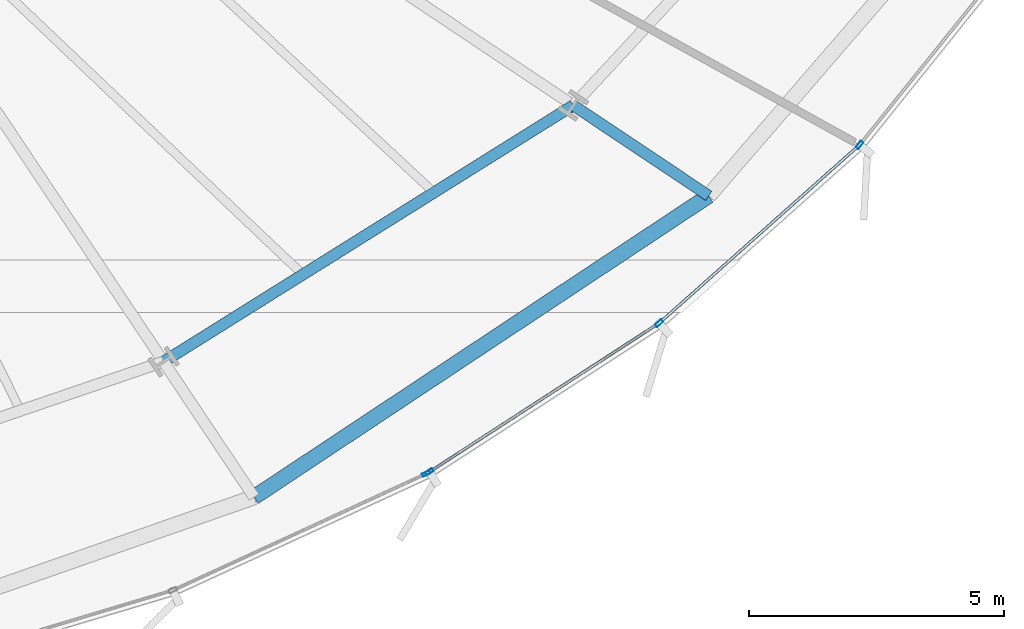
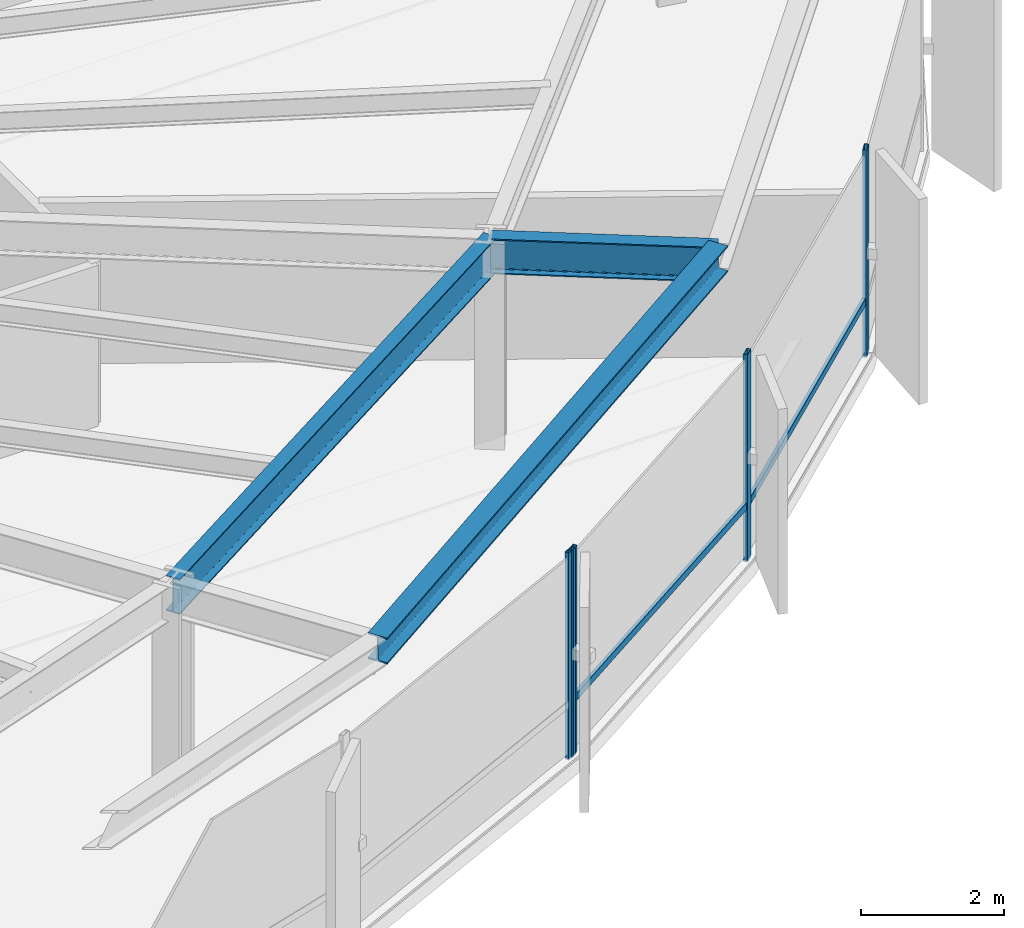
# One storey, part 13 of 37: 6 members, 3 beams, 2 elements without a shape of their own.
"""IFC4 building model written with IfcOpenShell, lengths in metres."""

from ifc_helpers import new_model, si_unit, direction, frame, origin, origin_2d, place, context, subcontext, project, spatial, hollow_rectangle, i_section, extrude, source, transform, mapped, material, layer, layer_set, material_profile, profile_set, type_object, element, aggregate, save


model = new_model("IFC4")

# Units and contexts
model_context = context("Model", 3, precision=1e-05, world=origin(), true_north=direction((0.0, 1.0)))
body_context = subcontext(model_context, "Body", "Model", "MODEL_VIEW")
ifc_project = project(units=[si_unit("LENGTHUNIT", "METRE"), si_unit("AREAUNIT", "SQUARE_METRE"), si_unit("VOLUMEUNIT", "CUBIC_METRE"), si_unit("PLANEANGLEUNIT", "RADIAN"), si_unit("MASSUNIT", "GRAM", prefix="KILO"), si_unit("THERMODYNAMICTEMPERATUREUNIT", "KELVIN")], contexts=[model_context])

# Site, building, storey
site_placement = place(None, origin())
site = spatial("IfcSite", under=ifc_project, at=site_placement, CompositionType="ELEMENT")
building_placement = place(site_placement, origin())
building = spatial("IfcBuilding", under=site, at=building_placement, Name="Kethvar Cultural Tower", CompositionType="ELEMENT")
storey_placement = place(building_placement, frame((0.0, 0.0, 48.60009765625)))
storey = spatial("IfcBuildingStorey", under=building, at=storey_placement, Name="L11", CompositionType="ELEMENT", Elevation=48.60009765625)

# Beams
ifc_material_1 = material(Name="Steel S355J2", Category="steel")
ifc_material_profile_1 = material_profile(ifc_material_1, i_section(OverallWidth=0.219970703125, OverallDepth=0.60009765625, WebThickness=0.011962890625, FlangeThickness=0.01904296875, FilletRadius=0.02392578125, at=origin_2d()), Name="Steel S355J2 — IPE600")
ifc_profile_set_1 = profile_set([ifc_material_profile_1], Name="Steel S355J2 — IPE600")
beam_type_1 = type_object("IfcBeamType", Name="BM-IPE600", PredefinedType="BEAM", material=ifc_profile_set_1)
shared_shape_1 = source(origin(), body_context, "Body", "SweptSolid", [
    extrude(i_section(OverallWidth=0.219970703125, OverallDepth=0.60009765625, WebThickness=0.011962890625, FlangeThickness=0.01904296875, FilletRadius=0.02392578125, at=origin_2d()), origin(), (0.0, 0.0, 1.0), 3.19970703125),
])
beam_1_placement = place(storey_placement, frame((67.41845703125, 14.023193359375, 3.247802734375), z_axis=(0.831498187863, -0.55552746429, 0.0), x_axis=(0.55552746429, 0.831498187863, 0.0)))
element("IfcBeam", 1, at=beam_1_placement, inside=storey, type_object=beam_type_1, Name="L11 Perimeter Cantilever Beam RC-15", PredefinedType="BEAM", context=body_context, shape_type="MappedRepresentation", body=[
    mapped(shared_shape_1, transform((0.0, 0.0, 0.0), scale=1.0)),
])
shared_shape_2 = source(origin(), body_context, "Body", "SweptSolid", [
    extrude(i_section(OverallWidth=0.219970703125, OverallDepth=0.60009765625, WebThickness=0.011962890625, FlangeThickness=0.01904296875, FilletRadius=0.02392578125, at=origin_2d()), origin(), (0.0, 0.0, 1.0), 9.493896484375),
])
beam_2_placement = place(storey_placement, frame((59.370361328125, 8.987060546875, 3.247802734375), z_axis=(0.847710685997, 0.530458851228, 0.0), x_axis=(-0.530458851228, 0.847710685997, 0.0)))
element("IfcBeam", 2, at=beam_2_placement, inside=storey, type_object=beam_type_1, Name="L11 Column Ring Tie Beam CR-14", PredefinedType="BEAM", context=body_context, shape_type="MappedRepresentation", body=[
    mapped(shared_shape_2, transform((0.0, 0.0, 0.0), scale=1.0)),
])
ifc_material_profile_2 = material_profile(ifc_material_1, i_section(OverallWidth=0.300048828125, OverallDepth=0.449951171875, WebThickness=0.013916015625, FlangeThickness=0.02587890625, FilletRadius=0.027099609375, at=origin_2d()), Name="Steel S355J2 — HEB450")
ifc_profile_set_2 = profile_set([ifc_material_profile_2], Name="Steel S355J2 — HEB450")
beam_type_2 = type_object("IfcBeamType", Name="BM-SP450", PredefinedType="SPANDREL", material=ifc_profile_set_2)
shared_shape_3 = source(origin(), body_context, "Body", "SweptSolid", [
    extrude(i_section(OverallWidth=0.300048828125, OverallDepth=0.449951171875, WebThickness=0.013916015625, FlangeThickness=0.02587890625, FilletRadius=0.027099609375, at=origin_2d()), origin(), (0.0, 0.0, 1.0), 10.71435546875),
])
beam_3_placement = place(storey_placement, frame((61.148193359375, 6.326416015625, 3.322998046875), z_axis=(0.833544146731, 0.552452853599, 0.0), x_axis=(-0.552452853599, 0.833544146731, 0.0)))
element("IfcBeam", 3, at=beam_3_placement, inside=storey, type_object=beam_type_2, Name="L11 Perimeter Spandrel Beam SP-14", PredefinedType="SPANDREL", context=body_context, shape_type="MappedRepresentation", body=[
    mapped(shared_shape_3, transform((0.0, 0.0, 0.0), scale=1.0)),
])

# Curtain wall, member
ifc_material_2 = material(Name="Aluminium 6063-T6", Category="aluminium")
ifc_layer = layer(ifc_material_2, 0.179931640625, Name="Aluminium 6063-T6", Category="aluminium")
ifc_layer_set = layer_set([ifc_layer], Name="Aluminium 6063-T6 (180 mm)")
curtain_wall_type = type_object("IfcCurtainWallType", Name="CW-SYS-02-Z1", PredefinedType="NOTDEFINED", material=ifc_layer_set)
curtain_wall_1_placement = place(storey_placement, origin())
curtain_wall_1 = element("IfcCurtainWall", 4, at=curtain_wall_1_placement, inside=storey, type_object=curtain_wall_type, Name="L11 Curtain Wall Run 05", PredefinedType="NOTDEFINED")
ifc_material_profile_3 = material_profile(ifc_material_2, hollow_rectangle(XDim=0.06494140625, YDim=0.159912109375, WallThickness=0.0048828125, at=origin_2d()), Name="Aluminium 6063-T6 — RHS160x65x5")
ifc_profile_set_3 = profile_set([ifc_material_profile_3], Name="Aluminium 6063-T6 — RHS160x65x5")
member_type_1 = type_object("IfcMemberType", Name="CW-SYS-02-Z1-MUL", PredefinedType="MULLION", material=ifc_profile_set_3)
shared_shape_4 = source(origin(), body_context, "Body", "SweptSolid", [
    extrude(hollow_rectangle(XDim=0.06494140625, YDim=0.159912109375, WallThickness=0.0048828125, at=origin_2d()), origin(), (0.0, 0.0, 1.0), 3.5498046875),
])
member_1_placement = place(storey_placement, frame((64.531982421875, 6.7890625, 0.0), z_axis=(0.0, 0.0, 1.0), x_axis=(-0.418152469437, 0.908376855883, 0.0)))
member_1 = element("IfcMember", 5, at=member_1_placement, type_object=member_type_1, Name="CW-L11-R05 Mullion 7", PredefinedType="MULLION", context=body_context, shape_type="MappedRepresentation", body=[
    mapped(shared_shape_4, transform((0.0, 0.0, 0.0), scale=1.0)),
])
aggregate(curtain_wall_1, [member_1])

# Curtain wall, members
curtain_wall_2_placement = place(storey_placement, origin())
curtain_wall_2 = element("IfcCurtainWall", 6, at=curtain_wall_2_placement, inside=storey, type_object=curtain_wall_type, Name="L11 Curtain Wall Run 06", PredefinedType="NOTDEFINED")
member_2_placement = place(storey_placement, frame((64.5908203125, 6.821533203125, 0.0), z_axis=(0.0, 0.0, 1.0), x_axis=(-0.543731187429, 0.839259432963, 0.0)))
member_2 = element("IfcMember", 7, at=member_2_placement, type_object=member_type_1, Name="CW-L11-R06 Mullion 1", PredefinedType="MULLION", context=body_context, shape_type="MappedRepresentation", body=[
    mapped(shared_shape_4, transform((0.0, 0.0, 0.0), scale=1.0)),
])
member_3_placement = place(storey_placement, frame((69.105712890625, 9.744873046875, 0.0), z_axis=(0.0, 0.0, 1.0), x_axis=(-0.664604619144, 0.747195222289, 0.0)))
member_3 = element("IfcMember", 8, at=member_3_placement, type_object=member_type_1, Name="CW-L11-R06 Mullion 2", PredefinedType="MULLION", context=body_context, shape_type="MappedRepresentation", body=[
    mapped(shared_shape_4, transform((0.0, 0.0, 0.0), scale=1.0)),
])
member_4_placement = place(storey_placement, frame((73.04248046875, 13.244140625, 0.0), z_axis=(0.0, 0.0, 1.0), x_axis=(-0.779665947075, 0.626195665085, 0.0)))
member_4 = element("IfcMember", 9, at=member_4_placement, type_object=member_type_1, Name="CW-L11-R06 Mullion 3", PredefinedType="MULLION", context=body_context, shape_type="MappedRepresentation", body=[
    mapped(shared_shape_4, transform((0.0, 0.0, 0.0), scale=1.0)),
])
ifc_material_profile_4 = material_profile(ifc_material_2, hollow_rectangle(XDim=0.054931640625, YDim=0.1201171875, WallThickness=0.00390625, at=origin_2d()), Name="Aluminium 6063-T6 — RHS120x55x4")
ifc_profile_set_4 = profile_set([ifc_material_profile_4], Name="Aluminium 6063-T6 — RHS120x55x4")
member_type_2 = type_object("IfcMemberType", Name="CW-SYS-02-Z1-TRN", PredefinedType="USERDEFINED", material=ifc_profile_set_4)
shared_shape_5 = source(origin(), body_context, "Body", "SweptSolid", [
    extrude(hollow_rectangle(XDim=0.054931640625, YDim=0.1201171875, WallThickness=0.00390625, at=origin_2d()), origin(), (0.0, 0.0, 1.0), 5.345458984375),
])
member_5_placement = place(storey_placement, frame((64.5947265625, 6.823974609375, 0.949951171875), z_axis=(0.839251411933, 0.54374356784, 0.0), x_axis=(-0.54374356784, 0.839251411933, 0.0)))
member_5 = element("IfcMember", 10, at=member_5_placement, type_object=member_type_2, Name="CW-L11-R06 Transom 1", ObjectType="TRANSOM", PredefinedType="USERDEFINED", context=body_context, shape_type="MappedRepresentation", body=[
    mapped(shared_shape_5, transform((0.0, 0.0, 0.0), scale=1.0)),
])
shared_shape_6 = source(origin(), body_context, "Body", "SweptSolid", [
    extrude(hollow_rectangle(XDim=0.054931640625, YDim=0.1201171875, WallThickness=0.00390625, at=origin_2d()), origin(), (0.0, 0.0, 1.0), 5.19384765625),
])
member_6_placement = place(storey_placement, frame((69.140625, 9.77587890625, 0.949951171875), z_axis=(0.747194028238, 0.664605961579, 0.0), x_axis=(-0.664605961579, 0.747194028238, 0.0)))
member_6 = element("IfcMember", 11, at=member_6_placement, type_object=member_type_2, Name="CW-L11-R06 Transom 2", ObjectType="TRANSOM", PredefinedType="USERDEFINED", context=body_context, shape_type="MappedRepresentation", body=[
    mapped(shared_shape_6, transform((0.0, 0.0, 0.0), scale=1.0)),
])
aggregate(curtain_wall_2, [member_2, member_3, member_4, member_5, member_6])

save(model, "model.ifc")
